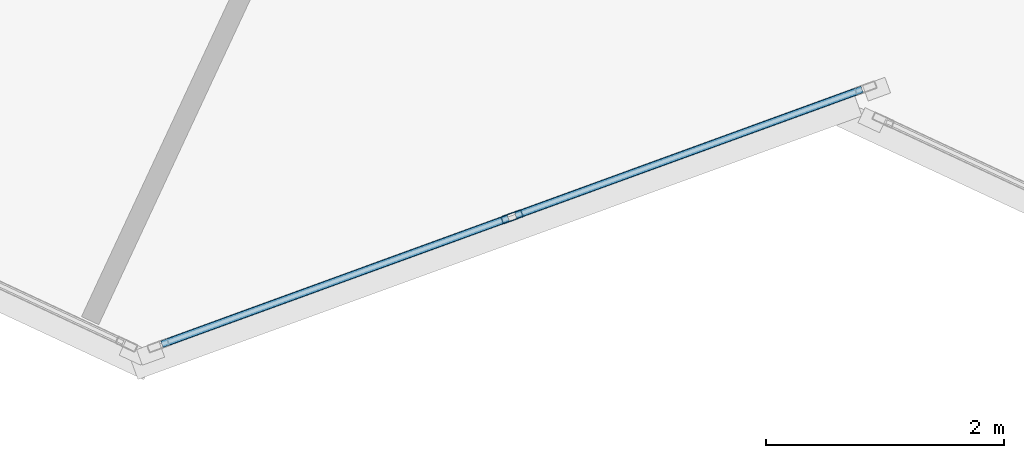
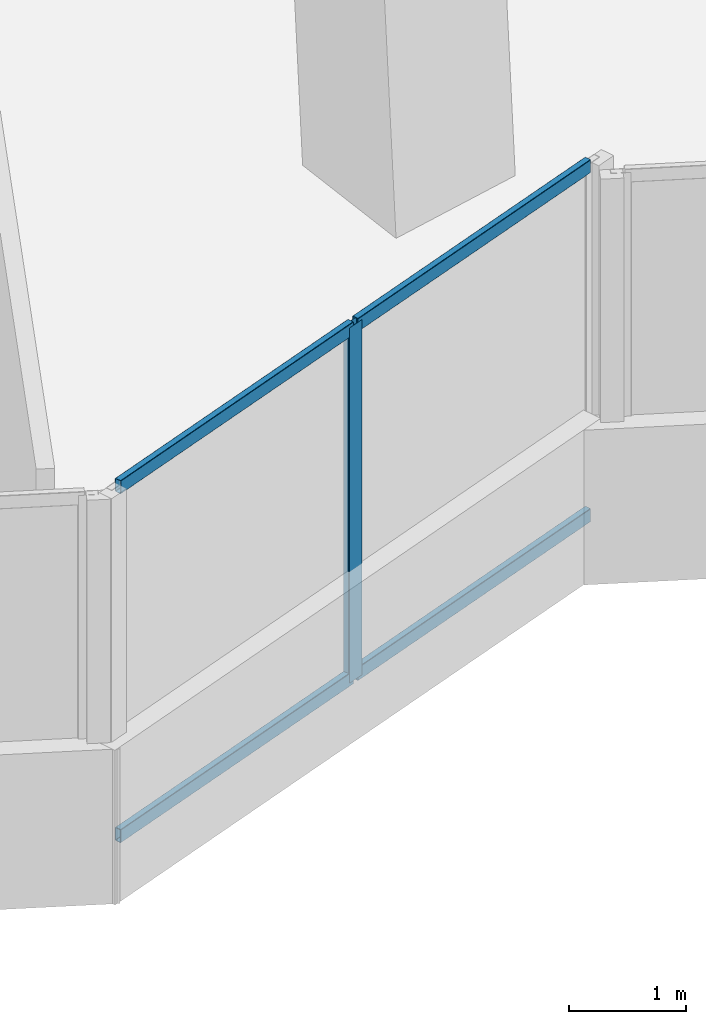
# One storey, part 5 of 21: 5 members, 1 element without a shape of its own.
"""IFC4 building model written with IfcOpenShell, lengths in metres."""

from ifc_helpers import new_model, si_unit, direction, frame, origin, origin_2d, place, context, subcontext, project, spatial, hollow_rectangle, extrude, source, transform, mapped, material, material_profile, profile_set, type_object, element, aggregate, save


model = new_model("IFC4")

# Units and contexts
model_context = context("Model", 3, precision=1e-05, world=origin(), true_north=direction((0.0, 1.0)))
body_context = subcontext(model_context, "Body", "Model", "MODEL_VIEW")
ifc_project = project(units=[si_unit("LENGTHUNIT", "METRE"), si_unit("AREAUNIT", "SQUARE_METRE"), si_unit("VOLUMEUNIT", "CUBIC_METRE"), si_unit("PLANEANGLEUNIT", "RADIAN"), si_unit("MASSUNIT", "GRAM", prefix="KILO")], contexts=[model_context])

# Site, building, storey
site_placement = place(None, origin())
site = spatial("IfcSite", under=ifc_project, at=site_placement, CompositionType="ELEMENT")
building_placement = place(site_placement, origin())
building = spatial("IfcBuilding", under=site, at=building_placement, Name="Torre Montelarca", CompositionType="ELEMENT")
storey_placement = place(building_placement, frame((0.0, 0.0, 162.39990234375)))
storey = spatial("IfcBuildingStorey", under=building, at=storey_placement, Name="L36", CompositionType="ELEMENT", Elevation=162.39990234375)

# Curtain wall, members
ifc_material_1 = material(Name="Insulated low-E laminated glass", Category="glass")
curtain_wall_type = type_object("IfcCurtainWallType", Name="CW-SYS-Z2", PredefinedType="USERDEFINED", material=ifc_material_1)
curtain_wall_placement = place(storey_placement, origin())
curtain_wall = element("IfcCurtainWall", 1, at=curtain_wall_placement, inside=storey, type_object=curtain_wall_type, Name="L36 Curtain Wall Run CW-T3-L36-E02-B1", ObjectType="UNITISED GLAZING", PredefinedType="USERDEFINED")
ifc_material_2 = material(Name="Anodised aluminium AA 6063-T6", Category="aluminium")
ifc_material_profile_1 = material_profile(ifc_material_2, hollow_rectangle(XDim=0.06494140625, YDim=0.139892578125, WallThickness=0.00390625, InnerFilletRadius=0.00390625, OuterFilletRadius=0.008056640625, at=origin_2d()), Name="ALU65X140X4", Category="aluminium")
ifc_profile_set_1 = profile_set([ifc_material_profile_1], Name="Anodised aluminium AA 6063-T6")
member_type_1 = type_object("IfcMemberType", Name="CWT-ALU140", PredefinedType="USERDEFINED", material=ifc_profile_set_1)
shared_shape_1 = source(origin(), body_context, "Body", "SweptSolid", [
    extrude(hollow_rectangle(XDim=0.06494140625, YDim=0.139892578125, WallThickness=0.00390625, InnerFilletRadius=0.00390625, OuterFilletRadius=0.008056640625, at=origin_2d()), origin(), (0.0, 0.0, 1.0), 3.102294921875),
])
member_1_placement = place(storey_placement, frame((23.859619140625, 11.099853515625, 0.03271484375), z_axis=(0.939696884133, 0.342008429649, 0.0), x_axis=(-0.342008429649, 0.939696884133, 0.0)))
member_1 = element("IfcMember", 2, at=member_1_placement, type_object=member_type_1, Name="CW transom 1.1", ObjectType="TRANSOM", PredefinedType="USERDEFINED", context=body_context, shape_type="MappedRepresentation", body=[
    mapped(shared_shape_1, transform((0.0, 0.0, 0.0), scale=1.0)),
])
member_2_placement = place(storey_placement, frame((23.859619140625, 11.099853515625, 3.6875), z_axis=(0.939696884133, 0.342008429649, 0.0), x_axis=(-0.342008429649, 0.939696884133, 0.0)))
member_2 = element("IfcMember", 3, at=member_2_placement, type_object=member_type_1, Name="CW transom 1.2", ObjectType="TRANSOM", PredefinedType="USERDEFINED", context=body_context, shape_type="MappedRepresentation", body=[
    mapped(shared_shape_1, transform((0.0, 0.0, 0.0), scale=1.0)),
])
shared_shape_2 = source(origin(), body_context, "Body", "SweptSolid", [
    extrude(hollow_rectangle(XDim=0.06494140625, YDim=0.139892578125, WallThickness=0.00390625, InnerFilletRadius=0.00390625, OuterFilletRadius=0.008056640625, at=origin_2d()), origin(), (0.0, 0.0, 1.0), 3.102783203125),
])
member_3_placement = place(storey_placement, frame((26.8359375, 12.18310546875, 0.03271484375), z_axis=(0.93968079832, 0.342052623538, 0.0), x_axis=(-0.342052623538, 0.93968079832, 0.0)))
member_3 = element("IfcMember", 4, at=member_3_placement, type_object=member_type_1, Name="CW transom 2.1", ObjectType="TRANSOM", PredefinedType="USERDEFINED", context=body_context, shape_type="MappedRepresentation", body=[
    mapped(shared_shape_2, transform((0.0, 0.0, 0.0), scale=1.0)),
])
member_4_placement = place(storey_placement, frame((26.8359375, 12.18310546875, 3.6875), z_axis=(0.93968079832, 0.342052623538, 0.0), x_axis=(-0.342052623538, 0.93968079832, 0.0)))
member_4 = element("IfcMember", 5, at=member_4_placement, type_object=member_type_1, Name="CW transom 2.2", ObjectType="TRANSOM", PredefinedType="USERDEFINED", context=body_context, shape_type="MappedRepresentation", body=[
    mapped(shared_shape_2, transform((0.0, 0.0, 0.0), scale=1.0)),
])
ifc_material_profile_2 = material_profile(ifc_material_2, hollow_rectangle(XDim=0.06494140625, YDim=0.179931640625, WallThickness=0.00390625, InnerFilletRadius=0.00390625, OuterFilletRadius=0.008056640625, at=origin_2d()), Name="ALU65X180X4", Category="aluminium")
ifc_profile_set_2 = profile_set([ifc_material_profile_2], Name="Anodised aluminium AA 6063-T6")
member_type_2 = type_object("IfcMemberType", Name="CWM-ALU180", PredefinedType="MULLION", material=ifc_profile_set_2)
shared_shape_3 = source(origin(), body_context, "Body", "SweptSolid", [
    extrude(hollow_rectangle(XDim=0.06494140625, YDim=0.179931640625, WallThickness=0.00390625, InnerFilletRadius=0.00390625, OuterFilletRadius=0.008056640625, at=origin_2d()), origin(), (0.0, 0.0, 1.0), 3.72021484375),
])
member_5_placement = place(storey_placement, frame((26.805419921875, 12.172119140625, 0.0), z_axis=(0.0, 0.0, 1.0), x_axis=(-0.342017799316, 0.939693473932, 0.0)))
member_5 = element("IfcMember", 6, at=member_5_placement, type_object=member_type_2, Name="CW mullion 2", PredefinedType="MULLION", context=body_context, shape_type="MappedRepresentation", body=[
    mapped(shared_shape_3, transform((0.0, 0.0, 0.0), scale=1.0)),
])
aggregate(curtain_wall, [member_5, member_1, member_2, member_3, member_4])

save(model, "model.ifc")
